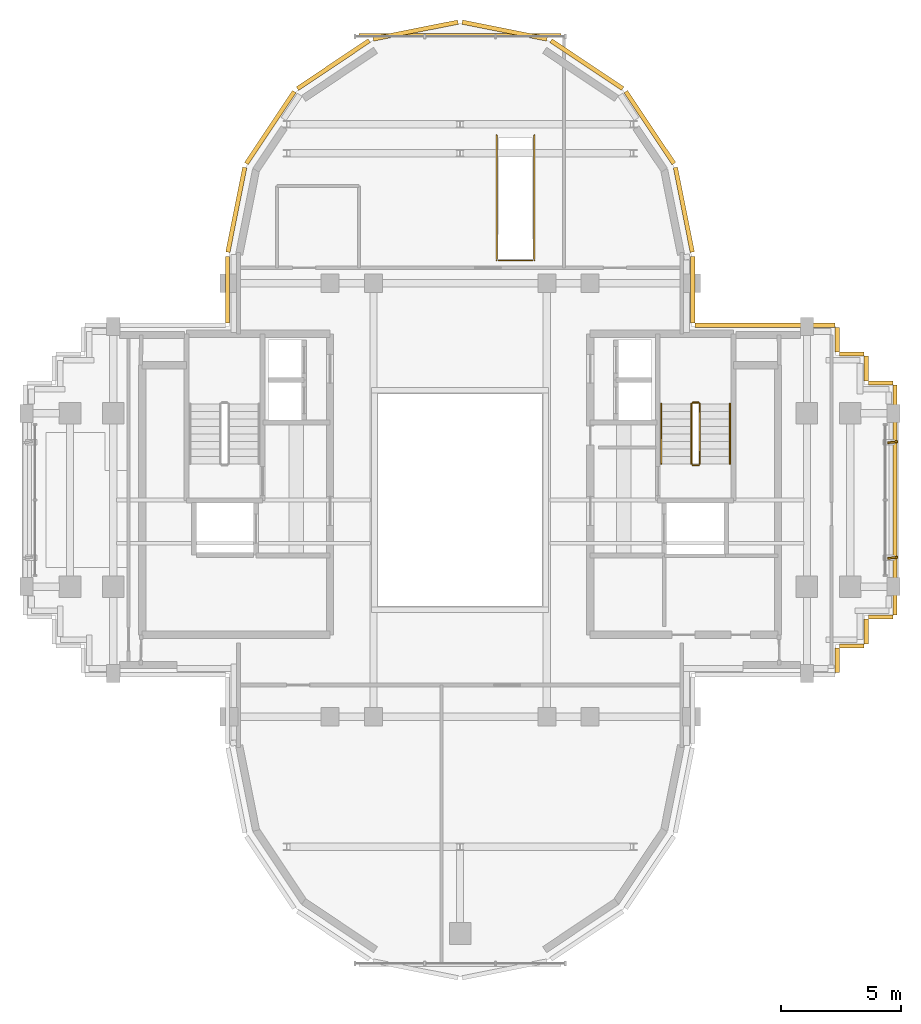
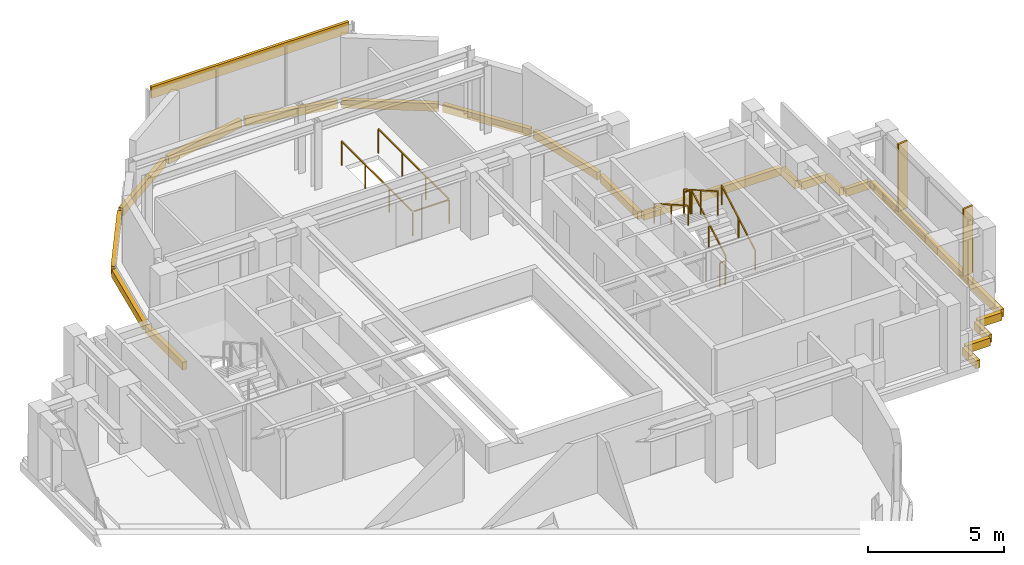
# One storey, part 12 of 12: 21 coverings, 7 railings, 2 shading devices.
"""IFC4 building model written with IfcOpenShell, lengths in metres."""

from ifc_helpers import new_model, si_unit, direction, frame, origin, origin_2d, place, context, subcontext, project, spatial, rectangle, extrude, source, transform, mapped, material, layer, layer_set, type_object, element, save


model = new_model("IFC4")

# Units and contexts
model_context = context("Model", 3, precision=1e-05, world=origin(), true_north=direction((0.0, 1.0)))
body_context = subcontext(model_context, "Body", "Model", "MODEL_VIEW")
ifc_project = project(units=[si_unit("LENGTHUNIT", "METRE"), si_unit("AREAUNIT", "SQUARE_METRE"), si_unit("VOLUMEUNIT", "CUBIC_METRE"), si_unit("PLANEANGLEUNIT", "RADIAN"), si_unit("MASSUNIT", "GRAM", prefix="KILO")], contexts=[model_context])

# Site, building, storey
site_placement = place(None, origin())
site = spatial("IfcSite", under=ifc_project, at=site_placement, CompositionType="ELEMENT")
building_placement = place(site_placement, origin())
building = spatial("IfcBuilding", under=site, at=building_placement, Name="Keilestroom Media Tower", CompositionType="ELEMENT")
storey_placement = place(building_placement, frame((0.0, 0.0, 233.199951171875)))
storey = spatial("IfcBuildingStorey", under=building, at=storey_placement, Name="L64", CompositionType="ELEMENT", Elevation=233.199951171875)

# Railings
ifc_material_1 = material(Name="Brushed Stainless Steel 1.4301", Category="steel")
railing_type_1 = type_object("IfcRailingType", Name="Stair-Pitch-Handrail-920", PredefinedType="HANDRAIL", material=ifc_material_1)
railing_1_placement = place(storey_placement, frame((11.2099609375, 1.5, 0.177734375)))
element("IfcRailing", 1, at=railing_1_placement, inside=storey, type_object=railing_type_1, Name="L64 ST-2 stair handrail 1", PredefinedType="HANDRAIL", context=body_context, shape_type="SweptSolid", body=[
    extrude(rectangle(XDim=0.048095703125, YDim=0.048095703125, at=origin_2d()), frame((0.0, 0.0, 0.8759765625), z_axis=(0.0, 0.868838684858, 0.495095283449), x_axis=(-1.0, 0.0, 0.0)), (0.0, 0.0, 1.0), 2.872802734375),
    extrude(rectangle(XDim=0.0419921875, YDim=0.0419921875, at=origin_2d()), origin(), (0.0, 0.0, 1.0), 0.84375),
    extrude(rectangle(XDim=0.0419921875, YDim=0.0419921875, at=origin_2d()), frame((0.0, 1.248046875, 0.711181640625)), (0.0, 0.0, 1.0), 0.84375),
    extrude(rectangle(XDim=0.0419921875, YDim=0.0419921875, at=origin_2d()), frame((0.0, 2.49609375, 1.42236328125)), (0.0, 0.0, 1.0), 0.84375),
])
railing_2_placement = place(storey_placement, frame((8.35009765625, 3.99609375, 1.77783203125)))
element("IfcRailing", 2, at=railing_2_placement, inside=storey, type_object=railing_type_1, Name="L64 ST-2 stair handrail 2", PredefinedType="HANDRAIL", context=body_context, shape_type="SweptSolid", body=[
    extrude(rectangle(XDim=0.048095703125, YDim=0.048095703125, at=origin_2d()), frame((0.0, 0.0, 0.8759765625), z_axis=(0.0, -0.868875238982, 0.495031129408), x_axis=(1.0, 0.0, 0.0)), (0.0, 0.0, 1.0), 2.872802734375),
    extrude(rectangle(XDim=0.0419921875, YDim=0.0419921875, at=origin_2d()), origin(), (0.0, 0.0, 1.0), 0.84375),
    extrude(rectangle(XDim=0.0419921875, YDim=0.0419921875, at=origin_2d()), frame((0.0, -1.248046875, 0.7109375)), (0.0, 0.0, 1.0), 0.84375),
    extrude(rectangle(XDim=0.0419921875, YDim=0.0419921875, at=origin_2d()), frame((0.0, -2.49609375, 1.422119140625)), (0.0, 0.0, 1.0), 0.84375),
])
ifc_material_2 = material(Name="Painted Steel Balustrade", Category="steel")
railing_type_2 = type_object("IfcRailingType", Name="Stair-Well-And-Landing-Guard-1100", PredefinedType="GUARDRAIL", material=ifc_material_2)
railing_3_placement = place(storey_placement, frame((9.949951171875, 1.5, 0.177734375)))
element("IfcRailing", 3, at=railing_3_placement, inside=storey, type_object=railing_type_2, Name="L64 ST-2 stair guard 1", PredefinedType="GUARDRAIL", context=body_context, shape_type="SweptSolid", body=[
    extrude(rectangle(XDim=0.048095703125, YDim=0.048095703125, at=origin_2d()), frame((0.0, 0.0, 1.076171875), z_axis=(0.0, 0.868838684858, 0.495095283449), x_axis=(-1.0, 0.0, 0.0)), (0.0, 0.0, 1.0), 2.872802734375),
    extrude(rectangle(XDim=0.0419921875, YDim=0.0419921875, at=origin_2d()), origin(), (0.0, 0.0, 1.0), 1.0439453125),
    extrude(rectangle(XDim=0.0419921875, YDim=0.0419921875, at=origin_2d()), frame((0.0, 1.248046875, 0.711181640625)), (0.0, 0.0, 1.0), 1.0439453125),
    extrude(rectangle(XDim=0.0419921875, YDim=0.0419921875, at=origin_2d()), frame((0.0, 2.49609375, 1.42236328125)), (0.0, 0.0, 1.0), 1.0439453125),
])
railing_4_placement = place(storey_placement, frame((9.89990234375, 4.0458984375, 1.60009765625)))
element("IfcRailing", 4, at=railing_4_placement, inside=storey, type_object=railing_type_2, Name="L64 ST-2 stair guard 2", PredefinedType="GUARDRAIL", context=body_context, shape_type="SweptSolid", body=[
    extrude(rectangle(XDim=0.048095703125, YDim=0.048095703125, at=origin_2d()), frame((0.0, 0.0, 1.076171875), z_axis=(-1.0, 0.0, 0.0), x_axis=(0.0, -1.0, 0.0)), (0.0, 0.0, 1.0), 0.239990234375),
    extrude(rectangle(XDim=0.0419921875, YDim=0.0419921875, at=origin_2d()), origin(), (0.0, 0.0, 1.0), 1.0439453125),
    extrude(rectangle(XDim=0.0419921875, YDim=0.0419921875, at=origin_2d()), frame((-0.239990234375, 0.0, 0.0)), (0.0, 0.0, 1.0), 1.0439453125),
])
railing_5_placement = place(storey_placement, frame((9.610107421875, 3.99609375, 1.77783203125)))
element("IfcRailing", 5, at=railing_5_placement, inside=storey, type_object=railing_type_2, Name="L64 ST-2 stair guard 3", PredefinedType="GUARDRAIL", context=body_context, shape_type="SweptSolid", body=[
    extrude(rectangle(XDim=0.048095703125, YDim=0.048095703125, at=origin_2d()), frame((0.0, 0.0, 1.076171875), z_axis=(0.0, -0.868875238982, 0.495031129408), x_axis=(1.0, 0.0, 0.0)), (0.0, 0.0, 1.0), 2.872802734375),
    extrude(rectangle(XDim=0.0419921875, YDim=0.0419921875, at=origin_2d()), origin(), (0.0, 0.0, 1.0), 1.0439453125),
    extrude(rectangle(XDim=0.0419921875, YDim=0.0419921875, at=origin_2d()), frame((0.0, -1.248046875, 0.7109375)), (0.0, 0.0, 1.0), 1.0439453125),
    extrude(rectangle(XDim=0.0419921875, YDim=0.0419921875, at=origin_2d()), frame((0.0, -2.49609375, 1.422119140625)), (0.0, 0.0, 1.0), 1.0439453125),
])
railing_6_placement = place(storey_placement, frame((9.89990234375, 1.449951171875, 0.0)))
element("IfcRailing", 6, at=railing_6_placement, inside=storey, type_object=railing_type_2, Name="L64 ST-2 stair guard 4", PredefinedType="GUARDRAIL", context=body_context, shape_type="SweptSolid", body=[
    extrude(rectangle(XDim=0.048095703125, YDim=0.048095703125, at=origin_2d()), frame((0.0, 0.0, 1.076171875), z_axis=(-1.0, 0.0, 0.0), x_axis=(0.0, -1.0, 0.0)), (0.0, 0.0, 1.0), 0.239990234375),
    extrude(rectangle(XDim=0.0419921875, YDim=0.0419921875, at=origin_2d()), origin(), (0.0, 0.0, 1.0), 1.0439453125),
    extrude(rectangle(XDim=0.0419921875, YDim=0.0419921875, at=origin_2d()), frame((-0.239990234375, 0.0, 0.0)), (0.0, 0.0, 1.0), 1.0439453125),
])
railing_7_placement = place(storey_placement, frame((1.52001953125, 15.1650390625, 0.0)))
element("IfcRailing", 7, at=railing_7_placement, inside=storey, type_object=railing_type_2, Name="ST-F2 Top Well Guard", PredefinedType="GUARDRAIL", context=body_context, shape_type="SweptSolid", body=[
    extrude(rectangle(XDim=0.048095703125, YDim=0.048095703125, at=origin_2d()), frame((0.0, 0.0, 1.076171875), z_axis=(0.0, -1.0, 0.0), x_axis=(1.0, 0.0, 0.0)), (0.0, 0.0, 1.0), 5.177001953125),
    extrude(rectangle(XDim=0.048095703125, YDim=0.048095703125, at=origin_2d()), frame((0.048095703125, -5.22509765625, 1.076171875), z_axis=(1.0, 0.0, 0.0), x_axis=(0.0, 1.0, 0.0)), (0.0, 0.0, 1.0), 1.4638671875),
    extrude(rectangle(XDim=0.048095703125, YDim=0.048095703125, at=origin_2d()), frame((1.56005859375, -5.177001953125, 1.076171875), z_axis=(0.0, 1.0, 0.0), x_axis=(-1.0, 0.0, 0.0)), (0.0, 0.0, 1.0), 5.177001953125),
    extrude(rectangle(XDim=0.0419921875, YDim=0.0419921875, at=origin_2d()), origin(), (0.0, 0.0, 1.0), 1.0439453125),
    extrude(rectangle(XDim=0.0419921875, YDim=0.0419921875, at=origin_2d()), frame((0.0, -1.74169921875, 0.0)), (0.0, 0.0, 1.0), 1.0439453125),
    extrude(rectangle(XDim=0.0419921875, YDim=0.0419921875, at=origin_2d()), frame((0.0, -3.4833984375, 0.0)), (0.0, 0.0, 1.0), 1.0439453125),
    extrude(rectangle(XDim=0.0419921875, YDim=0.0419921875, at=origin_2d()), frame((0.0, -5.22509765625, 0.0)), (0.0, 0.0, 1.0), 1.0439453125),
    extrude(rectangle(XDim=0.0419921875, YDim=0.0419921875, at=origin_2d()), frame((1.56005859375, -5.22509765625, 0.0)), (0.0, 0.0, 1.0), 1.0439453125),
    extrude(rectangle(XDim=0.0419921875, YDim=0.0419921875, at=origin_2d()), frame((1.56005859375, -3.4833984375, 0.0)), (0.0, 0.0, 1.0), 1.0439453125),
    extrude(rectangle(XDim=0.0419921875, YDim=0.0419921875, at=origin_2d()), frame((1.56005859375, -1.74169921875, 0.0)), (0.0, 0.0, 1.0), 1.0439453125),
    extrude(rectangle(XDim=0.0419921875, YDim=0.0419921875, at=origin_2d()), frame((1.56005859375, 0.0, 0.0)), (0.0, 0.0, 1.0), 1.0439453125),
])

# Covering
ifc_material_3 = material(Name="Precast concrete C40/50", Category="concrete")
ifc_layer = layer(ifc_material_3, 0.1201171875)
ifc_layer_set = layer_set([ifc_layer], Name="Precast concrete C40/50")
covering_type = type_object("IfcCoveringType", Name="Exterior-Precast-Spandrel-Cladding-Panel-120", PredefinedType="CLADDING", material=ifc_layer_set)
shared_shape_1 = source(origin(), body_context, "Body", "SweptSolid", [
    extrude(rectangle(XDim=8.39990234375, YDim=0.1201171875, at=origin_2d()), origin(), (0.0, 0.0, 1.0), 0.52001953125),
])
covering_1_placement = place(storey_placement, frame((0.0, 19.320068359375, 2.5), z_axis=(0.0, 0.0, 1.0), x_axis=(1.0, 0.0, 0.0)))
element("IfcCovering", 8, at=covering_1_placement, inside=storey, type_object=covering_type, Name="L64 Precast Spandrel Cladding N", PredefinedType="CLADDING", context=body_context, shape_type="MappedRepresentation", body=[
    mapped(shared_shape_1, transform((0.0, 0.0, 0.0), x_axis=(1.0, 0.0, 0.0), y_axis=(0.0, 1.0, 0.0), z_axis=(0.0, 0.0, 1.0), scale=1.0)),
])

# Shading devices
ifc_material_4 = material(Name="Bronze Anodised Aluminium", Category="aluminium")
shading_device_type = type_object("IfcShadingDeviceType", Name="Facade-Vertical-Sunshade-Fin-SHD-1", PredefinedType="USERDEFINED", material=ifc_material_4)
shared_shape_2 = source(origin(), body_context, "Body", "SweptSolid", [
    extrude(rectangle(XDim=0.419921875, YDim=0.080078125, at=origin_2d()), origin(), (0.0, 0.0, 1.0), 3.010009765625),
])
for number, where, z_axis, x_axis, name in (
    (9, (17.969970703125, -2.39990234375, 0.0), (0.0, 0.0, 1.0), (0.994393447567, 0.105743422663, 0.0), "L64 Twisting Sunshade Fin SHD-1 099"),
    (10, (17.969970703125, 2.39990234375, 0.0), (0.0, 0.0, 1.0), (0.994393447567, 0.105743422663, 0.0), "L64 Twisting Sunshade Fin SHD-1 100"),
):
    element("IfcShadingDevice", number, at=place(storey_placement, frame(where, z_axis=z_axis, x_axis=x_axis)), inside=storey, type_object=shading_device_type, Name=name, ObjectType="SUNSHADE", PredefinedType="USERDEFINED", context=body_context, shape_type="MappedRepresentation", body=[
        mapped(shared_shape_2, transform((0.0, 0.0, 0.0), x_axis=(1.0, 0.0, 0.0), y_axis=(0.0, 1.0, 0.0), z_axis=(0.0, 0.0, 1.0), scale=1.0)),
    ])

# Coverings
shared_shape_3 = source(origin(), body_context, "Body", "SweptSolid", [
    extrude(rectangle(XDim=1.02001953125, YDim=0.179931640625, at=origin_2d()), origin(), (0.0, 0.0, 1.0), 0.35009765625),
])
for number, where, z_axis, x_axis, name in (
    (11, (17.4599609375, -4.860107421875, -0.530029296875), (0.0, 0.0, 1.0), (-1.0, 0.0, 0.0), "L64 Precast Slab-Edge Fascia Cornice 01"),
    (12, (16.860107421875, -5.4599609375, -0.530029296875), (0.0, 0.0, 1.0), (0.0, -1.0, 0.0), "L64 Precast Slab-Edge Fascia Cornice 02"),
    (13, (16.260009765625, -6.06005859375, -0.530029296875), (0.0, 0.0, 1.0), (-1.0, 0.0, 0.0), "L64 Precast Slab-Edge Fascia Cornice 03"),
    (14, (15.659912109375, -6.659912109375, -0.530029296875), (0.0, 0.0, 1.0), (0.0, -1.0, 0.0), "L64 Precast Slab-Edge Fascia Cornice 04"),
    (15, (15.659912109375, 6.659912109375, -0.530029296875), (0.0, 0.0, 1.0), (0.0, -1.0, 0.0), "L64 Precast Slab-Edge Fascia Cornice 38"),
    (16, (16.260009765625, 6.06005859375, -0.530029296875), (0.0, 0.0, 1.0), (1.0, 0.0, 0.0), "L64 Precast Slab-Edge Fascia Cornice 39"),
    (17, (16.860107421875, 5.4599609375, -0.530029296875), (0.0, 0.0, 1.0), (0.0, -1.0, 0.0), "L64 Precast Slab-Edge Fascia Cornice 40"),
    (18, (17.4599609375, 4.860107421875, -0.530029296875), (0.0, 0.0, 1.0), (1.0, 0.0, 0.0), "L64 Precast Slab-Edge Fascia Cornice 41"),
):
    element("IfcCovering", number, at=place(storey_placement, frame(where, z_axis=z_axis, x_axis=x_axis)), inside=storey, type_object=covering_type, Name=name, PredefinedType="CLADDING", context=body_context, shape_type="MappedRepresentation", body=[
        mapped(shared_shape_3, transform((0.0, 0.0, 0.0), x_axis=(1.0, 0.0, 0.0), y_axis=(0.0, 1.0, 0.0), z_axis=(0.0, 0.0, 1.0), scale=1.0)),
    ])
shared_shape_4 = source(origin(), body_context, "Body", "SweptSolid", [
    extrude(rectangle(XDim=5.820068359375, YDim=0.179931640625, at=origin_2d()), origin(), (0.0, 0.0, 1.0), 0.35009765625),
])
covering_2_placement = place(storey_placement, frame((12.659912109375, 7.260009765625, -0.530029296875), z_axis=(0.0, 0.0, 1.0), x_axis=(1.0, 0.0, 0.0)))
element("IfcCovering", 19, at=covering_2_placement, inside=storey, type_object=covering_type, Name="L64 Precast Slab-Edge Fascia Cornice 37", PredefinedType="CLADDING", context=body_context, shape_type="MappedRepresentation", body=[
    mapped(shared_shape_4, transform((0.0, 0.0, 0.0), x_axis=(1.0, 0.0, 0.0), y_axis=(0.0, 1.0, 0.0), z_axis=(0.0, 0.0, 1.0), scale=1.0)),
])
shared_shape_5 = source(origin(), body_context, "Body", "SweptSolid", [
    extrude(rectangle(XDim=2.765869140625, YDim=0.179931640625, at=origin_2d()), origin(), (0.0, 0.0, 1.0), 0.35009765625),
])
for number, where, z_axis, x_axis, name in (
    (20, (-9.659912109375, 8.73291015625, -0.530029296875), (0.0, 0.0, 1.0), (0.0, 1.0, 0.0), "L64 Precast Slab-Edge Fascia Cornice 27"),
    (21, (9.659912109375, 8.73291015625, -0.530029296875), (0.0, 0.0, 1.0), (0.0, -1.0, 0.0), "L64 Precast Slab-Edge Fascia Cornice 36"),
):
    element("IfcCovering", number, at=place(storey_placement, frame(where, z_axis=z_axis, x_axis=x_axis)), inside=storey, type_object=covering_type, Name=name, PredefinedType="CLADDING", context=body_context, shape_type="MappedRepresentation", body=[
        mapped(shared_shape_5, transform((0.0, 0.0, 0.0), x_axis=(1.0, 0.0, 0.0), y_axis=(0.0, 1.0, 0.0), z_axis=(0.0, 0.0, 1.0), scale=1.0)),
    ])
shared_shape_6 = source(origin(), body_context, "Body", "SweptSolid", [
    extrude(rectangle(XDim=3.58349609375, YDim=0.179931640625, at=origin_2d()), origin(), (0.0, 0.0, 1.0), 0.35009765625),
])
for number, where, z_axis, x_axis, name in (
    (22, (-9.29296875, 12.051513671875, -0.530029296875), (0.0, 0.0, 1.0), (0.195098880975, 0.980783577882, 0.0), "L64 Precast Slab-Edge Fascia Cornice 28"),
    (23, (9.29296875, 12.051513671875, -0.530029296875), (0.0, 0.0, 1.0), (0.195098880975, -0.980783577882, 0.0), "L64 Precast Slab-Edge Fascia Cornice 35"),
):
    element("IfcCovering", number, at=place(storey_placement, frame(where, z_axis=z_axis, x_axis=x_axis)), inside=storey, type_object=covering_type, Name=name, PredefinedType="CLADDING", context=body_context, shape_type="MappedRepresentation", body=[
        mapped(shared_shape_6, transform((0.0, 0.0, 0.0), x_axis=(1.0, 0.0, 0.0), y_axis=(0.0, 1.0, 0.0), z_axis=(0.0, 0.0, 1.0), scale=1.0)),
    ])
shared_shape_7 = source(origin(), body_context, "Body", "SweptSolid", [
    extrude(rectangle(XDim=3.589599609375, YDim=0.179931640625, at=origin_2d()), origin(), (0.0, 0.0, 1.0), 0.35009765625),
])
for number, where, z_axis, x_axis, name in (
    (24, (-7.878662109375, 15.46435546875, -0.530029296875), (0.0, 0.0, 1.0), (0.555574586577, 0.831466703332, 0.0), "L64 Precast Slab-Edge Fascia Cornice 29"),
    (25, (-5.264404296875, 18.07861328125, -0.530029296875), (0.0, 0.0, 1.0), (0.831466703332, 0.555574586577, 0.0), "L64 Precast Slab-Edge Fascia Cornice 30"),
    (26, (-1.8486328125, 19.493408203125, -0.530029296875), (0.0, 0.0, 1.0), (0.980783577882, 0.195098880975, 0.0), "L64 Precast Slab-Edge Fascia Cornice 31"),
    (27, (1.8486328125, 19.493408203125, -0.530029296875), (0.0, 0.0, 1.0), (0.980783577882, -0.195098880975, 0.0), "L64 Precast Slab-Edge Fascia Cornice 32"),
    (28, (5.264404296875, 18.07861328125, -0.530029296875), (0.0, 0.0, 1.0), (0.831466703332, -0.555574586577, 0.0), "L64 Precast Slab-Edge Fascia Cornice 33"),
    (29, (7.878662109375, 15.46435546875, -0.530029296875), (0.0, 0.0, 1.0), (0.555574586577, -0.831466703332, 0.0), "L64 Precast Slab-Edge Fascia Cornice 34"),
):
    element("IfcCovering", number, at=place(storey_placement, frame(where, z_axis=z_axis, x_axis=x_axis)), inside=storey, type_object=covering_type, Name=name, PredefinedType="CLADDING", context=body_context, shape_type="MappedRepresentation", body=[
        mapped(shared_shape_7, transform((0.0, 0.0, 0.0), x_axis=(1.0, 0.0, 0.0), y_axis=(0.0, 1.0, 0.0), z_axis=(0.0, 0.0, 1.0), scale=1.0)),
    ])
shared_shape_8 = source(origin(), body_context, "Body", "SweptSolid", [
    extrude(rectangle(XDim=9.5400390625, YDim=0.179931640625, at=origin_2d()), origin(), (0.0, 0.0, 1.0), 0.35009765625),
])
covering_3_placement = place(storey_placement, frame((18.06005859375, 0.0, -0.530029296875), z_axis=(0.0, 0.0, 1.0), x_axis=(0.0, -1.0, 0.0)))
element("IfcCovering", 30, at=covering_3_placement, inside=storey, type_object=covering_type, Name="L64 Precast Slab-Edge Fascia Cornice 42", PredefinedType="CLADDING", context=body_context, shape_type="MappedRepresentation", body=[
    mapped(shared_shape_8, transform((0.0, 0.0, 0.0), x_axis=(1.0, 0.0, 0.0), y_axis=(0.0, 1.0, 0.0), z_axis=(0.0, 0.0, 1.0), scale=1.0)),
])

save(model, "model.ifc")
